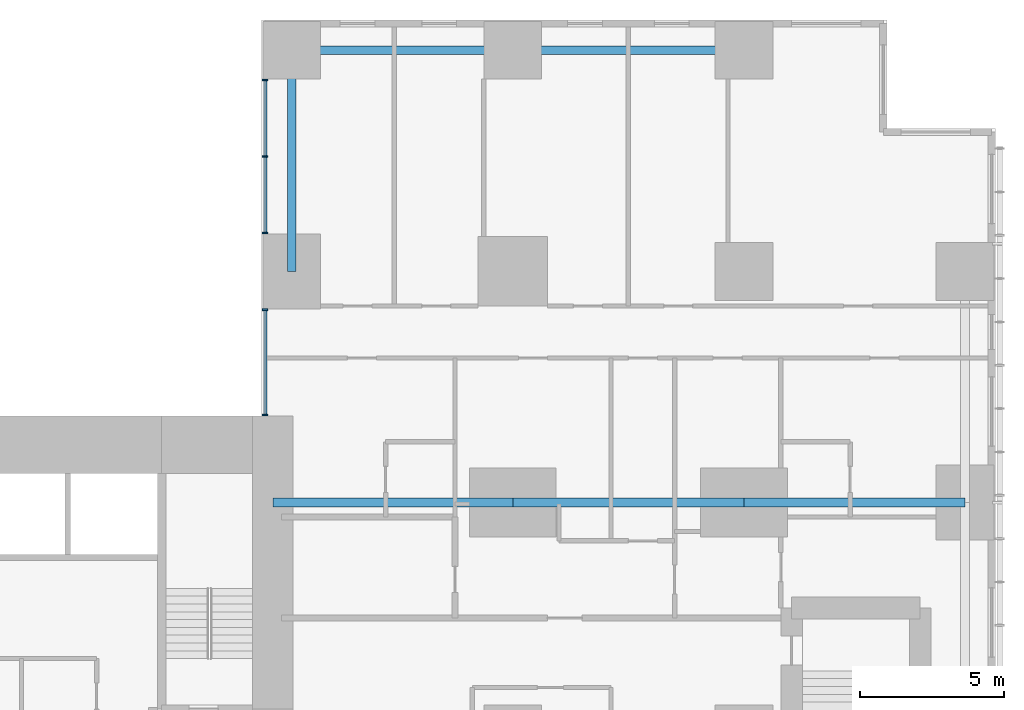
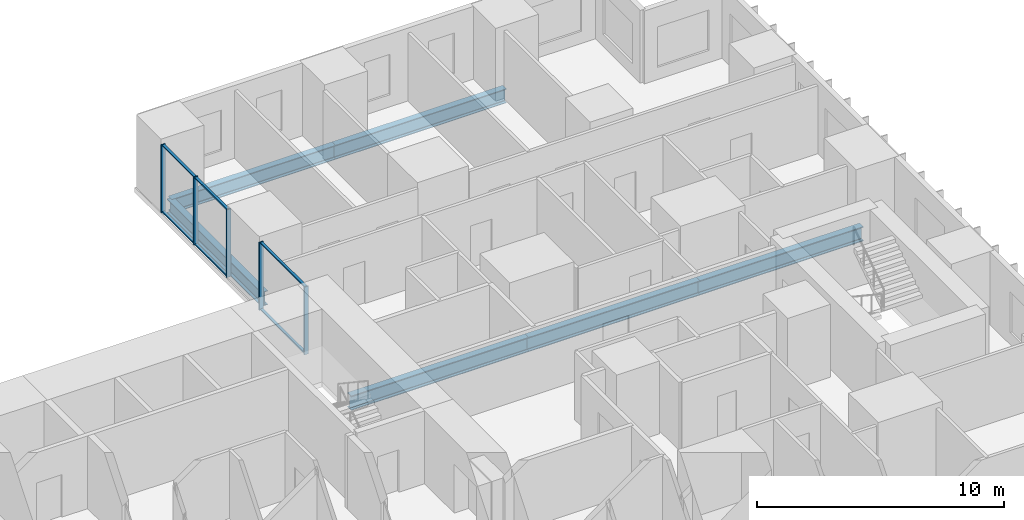
# One storey, part 5 of 20: 11 members, 6 beams, 2 elements without a shape of their own.
"""IFC4 building model written with IfcOpenShell, lengths in metres."""

from ifc_helpers import new_model, si_unit, direction, frame, origin, origin_2d, place, context, subcontext, project, spatial, rectangle, i_section, extrude, material, layer, layer_set, material_profile, profile_set, type_object, element, aggregate, save


model = new_model("IFC4")

# Units and contexts
model_context = context("Model", 3, precision=1e-05, world=origin(), true_north=direction((0.0, 1.0)))
body_context = subcontext(model_context, "Body", "Model", "MODEL_VIEW")
ifc_project = project(units=[si_unit("LENGTHUNIT", "METRE"), si_unit("AREAUNIT", "SQUARE_METRE"), si_unit("VOLUMEUNIT", "CUBIC_METRE"), si_unit("PLANEANGLEUNIT", "RADIAN"), si_unit("MASSUNIT", "GRAM", prefix="KILO")], contexts=[model_context])

# Site, building, storey
site_placement = place(None, origin())
site = spatial("IfcSite", under=ifc_project, at=site_placement, CompositionType="ELEMENT")
building_placement = place(site_placement, origin())
building = spatial("IfcBuilding", under=site, at=building_placement, Name="Cleftline Residences", CompositionType="ELEMENT")
storey_placement = place(building_placement, frame((0.0, 0.0, 47.60009765625)))
storey = spatial("IfcBuildingStorey", under=building, at=storey_placement, Name="L11", CompositionType="ELEMENT", Elevation=47.60009765625)

# Beams
ifc_material_1 = material(Name="Steel S355", Category="steel")
ifc_material_profile_1 = material_profile(ifc_material_1, i_section(OverallWidth=0.300048828125, OverallDepth=0.699951171875, WebThickness=0.01708984375, FlangeThickness=0.031982421875, FilletRadius=0.027099609375, at=origin_2d()))
ifc_profile_set_1 = profile_set([ifc_material_profile_1], Name="Steel S355")
beam_type_1 = type_object("IfcBeamType", Name="BEAM HEB 700", PredefinedType="BEAM", material=ifc_profile_set_1)
beam_1_placement = place(storey_placement, frame((58.0, 47.64990234375, -0.60009765625), z_axis=(-1.0, 0.0, 0.0), x_axis=(0.0, -1.0, 0.0)))
element("IfcBeam", 1, at=beam_1_placement, inside=storey, type_object=beam_type_1, Name="Edge beam", PredefinedType="BEAM", context=body_context, shape_type="SweptSolid", body=[
    extrude(i_section(OverallWidth=0.300048828125, OverallDepth=0.699951171875, WebThickness=0.01708984375, FlangeThickness=0.031982421875, FilletRadius=0.027099609375, at=origin_2d()), origin(), (0.0, 0.0, 1.0), 8.0),
])
for number, where, z_axis, x_axis, name in (
    (2, (50.0, 47.64990234375, -0.60009765625), (-1.0, 0.0, 0.0), (0.0, -1.0, 0.0), "Edge beam"),
    (3, (42.35009765625, 47.64990234375, -0.60009765625), (0.0, -1.0, 0.0), (1.0, 0.0, 0.0), "Edge beam"),
):
    element("IfcBeam", number, at=place(storey_placement, frame(where, z_axis=z_axis, x_axis=x_axis)), inside=storey, type_object=beam_type_1, Name=name, PredefinedType="BEAM", context=body_context, shape_type="SweptSolid", body=[
        extrude(i_section(OverallWidth=0.300048828125, OverallDepth=0.699951171875, WebThickness=0.01708984375, FlangeThickness=0.031982421875, FilletRadius=0.027099609375, at=origin_2d()), origin(), (0.0, 0.0, 1.0), 7.64990234375),
    ])
ifc_material_2 = material(Name="Steel S355", Category="steel")
ifc_material_profile_2 = material_profile(ifc_material_2, i_section(OverallWidth=0.303955078125, OverallDepth=0.716064453125, WebThickness=0.02099609375, FlangeThickness=0.0400390625, FilletRadius=0.027099609375, at=origin_2d()))
ifc_profile_set_2 = profile_set([ifc_material_profile_2], Name="Steel S355")
beam_type_2 = type_object("IfcBeamType", Name="BEAM HEM 700", PredefinedType="BEAM", material=ifc_profile_set_2)
beam_2_placement = place(storey_placement, frame((65.64990234375, 32.0, -0.608154296875), z_axis=(-1.0, 0.0, 0.0), x_axis=(0.0, -1.0, 0.0)))
element("IfcBeam", 4, at=beam_2_placement, inside=storey, type_object=beam_type_2, Name="Band beam", PredefinedType="BEAM", context=body_context, shape_type="SweptSolid", body=[
    extrude(i_section(OverallWidth=0.303955078125, OverallDepth=0.716064453125, WebThickness=0.02099609375, FlangeThickness=0.0400390625, FilletRadius=0.027099609375, at=origin_2d()), origin(), (0.0, 0.0, 1.0), 7.64990234375),
])
beam_3_placement = place(storey_placement, frame((58.0, 32.0, -0.608154296875), z_axis=(-1.0, 0.0, 0.0), x_axis=(0.0, -1.0, 0.0)))
element("IfcBeam", 5, at=beam_3_placement, inside=storey, type_object=beam_type_2, Name="Band beam", PredefinedType="BEAM", context=body_context, shape_type="SweptSolid", body=[
    extrude(i_section(OverallWidth=0.303955078125, OverallDepth=0.716064453125, WebThickness=0.02099609375, FlangeThickness=0.0400390625, FilletRadius=0.027099609375, at=origin_2d()), origin(), (0.0, 0.0, 1.0), 8.0),
])
beam_4_placement = place(storey_placement, frame((50.0, 32.0, -0.608154296875), z_axis=(-1.0, 0.0, 0.0), x_axis=(0.0, -1.0, 0.0)))
element("IfcBeam", 6, at=beam_4_placement, inside=storey, type_object=beam_type_2, Name="Band beam", PredefinedType="BEAM", context=body_context, shape_type="SweptSolid", body=[
    extrude(i_section(OverallWidth=0.303955078125, OverallDepth=0.716064453125, WebThickness=0.02099609375, FlangeThickness=0.0400390625, FilletRadius=0.027099609375, at=origin_2d()), origin(), (0.0, 0.0, 1.0), 8.300048828125),
])

# Curtain wall, members
ifc_material_3 = material(Name="Aluminium framed curtain wall", Category="aluminium")
ifc_layer = layer(ifc_material_3, 0.199951171875)
ifc_layer_set = layer_set([ifc_layer], Name="CW1 CLEFT GLAZING")
curtain_wall_type = type_object("IfcCurtainWallType", Name="CW1 CLEFT GLAZING", PredefinedType="NOTDEFINED", material=ifc_layer_set)
curtain_wall_1_placement = place(storey_placement, origin())
curtain_wall_1 = element("IfcCurtainWall", 7, at=curtain_wall_1_placement, inside=storey, type_object=curtain_wall_type, Name="Curtain wall CW1", PredefinedType="NOTDEFINED")
ifc_material_4 = material(Name="Aluminium mullion", Category="aluminium")
ifc_material_profile_3 = material_profile(ifc_material_4, rectangle(XDim=0.199951171875, YDim=0.06005859375, at=origin_2d()))
ifc_profile_set_3 = profile_set([ifc_material_profile_3], Name="Aluminium mullion")
member_type_1 = type_object("IfcMemberType", Name="CW1 MULLION", PredefinedType="MULLION", material=ifc_profile_set_3)
member_1_placement = place(storey_placement, frame((41.425048828125, 46.6201171875, 0.0), z_axis=(0.0, 0.0, 1.0), x_axis=(1.0, 0.0, 0.0)))
member_1 = element("IfcMember", 8, at=member_1_placement, type_object=member_type_1, Name="CW1 mullion 1", PredefinedType="MULLION", context=body_context, shape_type="SweptSolid", body=[
    extrude(rectangle(XDim=0.199951171875, YDim=0.06005859375, at=origin_2d()), origin(), (0.0, 0.0, 1.0), 3.349853515625),
])
member_2_placement = place(storey_placement, frame((41.425048828125, 43.97509765625, 0.0), z_axis=(0.0, 0.0, 1.0), x_axis=(1.0, 0.0, 0.0)))
member_2 = element("IfcMember", 9, at=member_2_placement, type_object=member_type_1, Name="CW1 mullion 2", PredefinedType="MULLION", context=body_context, shape_type="SweptSolid", body=[
    extrude(rectangle(XDim=0.199951171875, YDim=0.06005859375, at=origin_2d()), origin(), (0.0, 0.0, 1.0), 3.349853515625),
])
member_3_placement = place(storey_placement, frame((41.425048828125, 41.330078125, 0.0), z_axis=(0.0, 0.0, 1.0), x_axis=(1.0, 0.0, 0.0)))
member_3 = element("IfcMember", 10, at=member_3_placement, type_object=member_type_1, Name="CW1 mullion 3", PredefinedType="MULLION", context=body_context, shape_type="SweptSolid", body=[
    extrude(rectangle(XDim=0.199951171875, YDim=0.06005859375, at=origin_2d()), origin(), (0.0, 0.0, 1.0), 3.349853515625),
])

curtain_wall_2_placement = place(storey_placement, origin())
curtain_wall_2 = element("IfcCurtainWall", 11, at=curtain_wall_2_placement, inside=storey, type_object=curtain_wall_type, Name="Curtain wall CW1", PredefinedType="NOTDEFINED")
member_4_placement = place(storey_placement, frame((41.425048828125, 38.669921875, 0.0), z_axis=(0.0, 0.0, 1.0), x_axis=(1.0, 0.0, 0.0)))
member_4 = element("IfcMember", 12, at=member_4_placement, type_object=member_type_1, Name="CW1 mullion 1", PredefinedType="MULLION", context=body_context, shape_type="SweptSolid", body=[
    extrude(rectangle(XDim=0.199951171875, YDim=0.06005859375, at=origin_2d()), origin(), (0.0, 0.0, 1.0), 3.349853515625),
])
member_5_placement = place(storey_placement, frame((41.425048828125, 35.030029296875, 0.0), z_axis=(0.0, 0.0, 1.0), x_axis=(1.0, 0.0, 0.0)))
member_5 = element("IfcMember", 13, at=member_5_placement, type_object=member_type_1, Name="CW1 mullion 2", PredefinedType="MULLION", context=body_context, shape_type="SweptSolid", body=[
    extrude(rectangle(XDim=0.199951171875, YDim=0.06005859375, at=origin_2d()), origin(), (0.0, 0.0, 1.0), 3.349853515625),
])

# Member
ifc_material_5 = material(Name="Aluminium transom", Category="aluminium")
ifc_material_profile_4 = material_profile(ifc_material_5, rectangle(XDim=0.1201171875, YDim=0.06005859375, at=origin_2d()))
ifc_profile_set_4 = profile_set([ifc_material_profile_4], Name="Aluminium transom")
member_type_2 = type_object("IfcMemberType", Name="CW1 TRANSOM", PredefinedType="USERDEFINED", material=ifc_profile_set_4)
member_6_placement = place(storey_placement, frame((41.425048828125, 46.590087890625, 0.02978515625), z_axis=(0.0, -1.0, 0.0), x_axis=(1.0, 0.0, 0.0)))
member_6 = element("IfcMember", 14, at=member_6_placement, type_object=member_type_2, Name="CW1 transom 1.1", ObjectType="TRANSOM", PredefinedType="USERDEFINED", context=body_context, shape_type="SweptSolid", body=[
    extrude(rectangle(XDim=0.1201171875, YDim=0.06005859375, at=origin_2d()), origin(), (0.0, 0.0, 1.0), 2.585205078125),
])

member_7_placement = place(storey_placement, frame((41.425048828125, 46.590087890625, 3.31982421875), z_axis=(0.0, -1.0, 0.0), x_axis=(1.0, 0.0, 0.0)))
member_7 = element("IfcMember", 15, at=member_7_placement, type_object=member_type_2, Name="CW1 transom 1.2", ObjectType="TRANSOM", PredefinedType="USERDEFINED", context=body_context, shape_type="SweptSolid", body=[
    extrude(rectangle(XDim=0.1201171875, YDim=0.06005859375, at=origin_2d()), origin(), (0.0, 0.0, 1.0), 2.585205078125),
])

member_8_placement = place(storey_placement, frame((41.425048828125, 43.945068359375, 0.02978515625), z_axis=(0.0, -1.0, 0.0), x_axis=(1.0, 0.0, 0.0)))
member_8 = element("IfcMember", 16, at=member_8_placement, type_object=member_type_2, Name="CW1 transom 2.1", ObjectType="TRANSOM", PredefinedType="USERDEFINED", context=body_context, shape_type="SweptSolid", body=[
    extrude(rectangle(XDim=0.1201171875, YDim=0.06005859375, at=origin_2d()), origin(), (0.0, 0.0, 1.0), 2.5849609375),
])

member_9_placement = place(storey_placement, frame((41.425048828125, 43.945068359375, 3.31982421875), z_axis=(0.0, -1.0, 0.0), x_axis=(1.0, 0.0, 0.0)))
member_9 = element("IfcMember", 17, at=member_9_placement, type_object=member_type_2, Name="CW1 transom 2.2", ObjectType="TRANSOM", PredefinedType="USERDEFINED", context=body_context, shape_type="SweptSolid", body=[
    extrude(rectangle(XDim=0.1201171875, YDim=0.06005859375, at=origin_2d()), origin(), (0.0, 0.0, 1.0), 2.5849609375),
])

aggregate(curtain_wall_1, [member_1, member_2, member_3, member_6, member_7, member_8, member_9])

member_10_placement = place(storey_placement, frame((41.425048828125, 38.639892578125, 0.02978515625), z_axis=(0.0, -1.0, 0.0), x_axis=(1.0, 0.0, 0.0)))
member_10 = element("IfcMember", 18, at=member_10_placement, type_object=member_type_2, Name="CW1 transom 1.1", ObjectType="TRANSOM", PredefinedType="USERDEFINED", context=body_context, shape_type="SweptSolid", body=[
    extrude(rectangle(XDim=0.1201171875, YDim=0.06005859375, at=origin_2d()), origin(), (0.0, 0.0, 1.0), 3.579833984375),
])

member_11_placement = place(storey_placement, frame((41.425048828125, 38.639892578125, 3.31982421875), z_axis=(0.0, -1.0, 0.0), x_axis=(1.0, 0.0, 0.0)))
member_11 = element("IfcMember", 19, at=member_11_placement, type_object=member_type_2, Name="CW1 transom 1.2", ObjectType="TRANSOM", PredefinedType="USERDEFINED", context=body_context, shape_type="SweptSolid", body=[
    extrude(rectangle(XDim=0.1201171875, YDim=0.06005859375, at=origin_2d()), origin(), (0.0, 0.0, 1.0), 3.579833984375),
])

aggregate(curtain_wall_2, [member_4, member_5, member_10, member_11])

save(model, "model.ifc")
